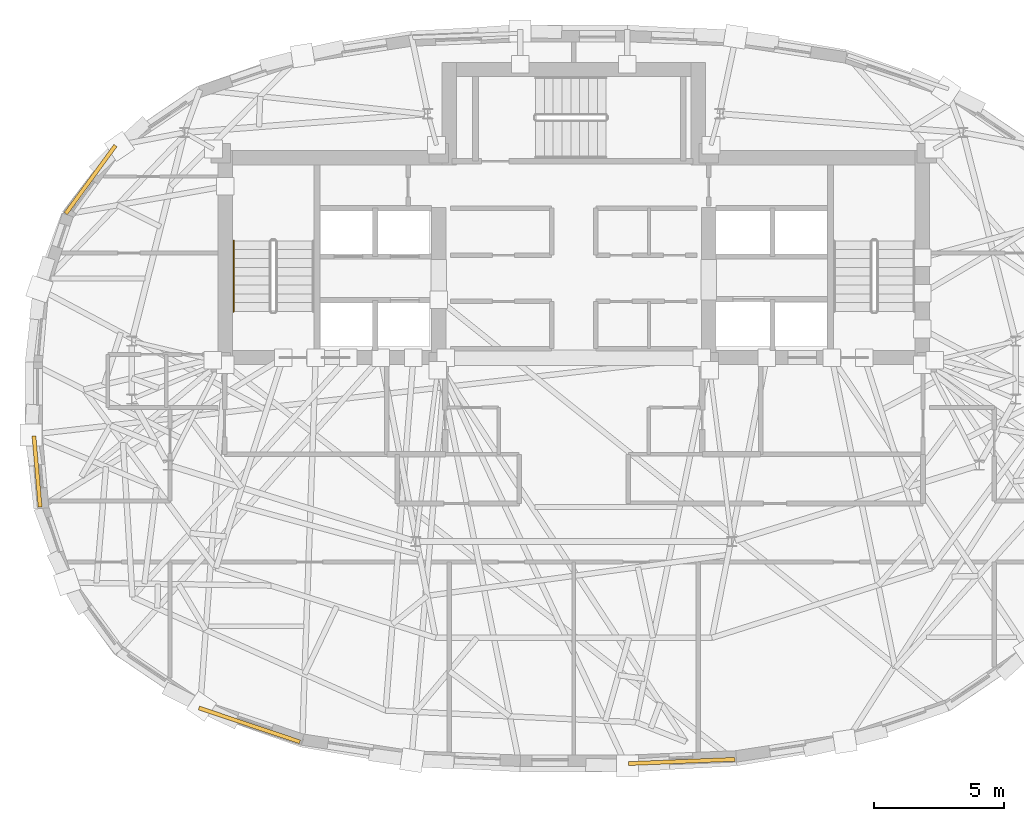
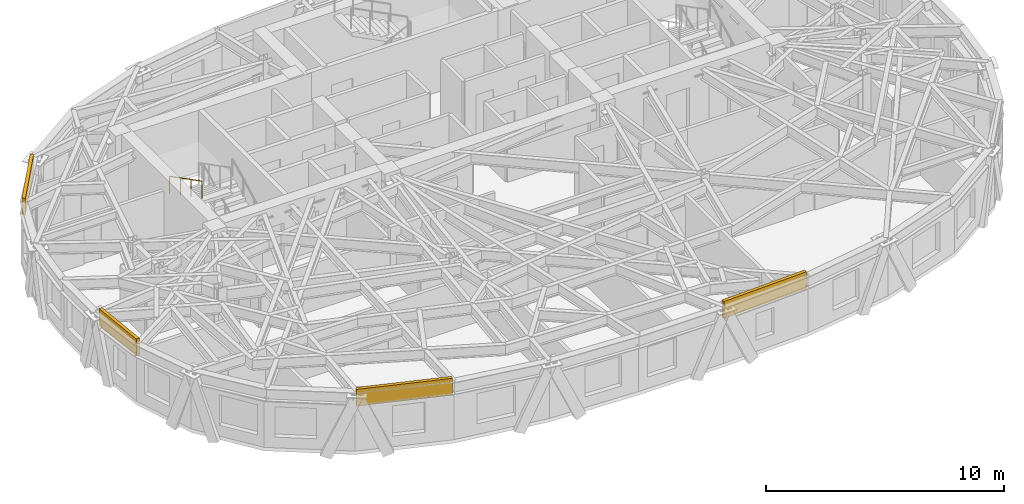
# One storey, part 10 of 12: 4 coverings, 1 railing.
"""IFC4 building model written with IfcOpenShell, lengths in metres."""

from ifc_helpers import new_model, si_unit, direction, frame, origin, origin_2d, place, context, subcontext, project, spatial, rectangle, circle, extrude, material, layer, layer_set, type_object, element, save


model = new_model("IFC4")

# Units and contexts
model_context = context("Model", 3, precision=1e-05, world=origin(), true_north=direction((0.0, 1.0)))
body_context = subcontext(model_context, "Body", "Model", "MODEL_VIEW")
ifc_project = project(units=[si_unit("LENGTHUNIT", "METRE"), si_unit("AREAUNIT", "SQUARE_METRE"), si_unit("VOLUMEUNIT", "CUBIC_METRE"), si_unit("PLANEANGLEUNIT", "RADIAN"), si_unit("MASSUNIT", "GRAM", prefix="KILO")], contexts=[model_context])

# Site, building, storey
site_placement = place(None, origin())
site = spatial("IfcSite", under=ifc_project, at=site_placement, CompositionType="ELEMENT")
building_placement = place(site_placement, origin())
building = spatial("IfcBuilding", under=site, at=building_placement, Name="Keldmark Tower", CompositionType="ELEMENT")
storey_placement = place(building_placement, frame((0.0, 0.0, 250.949951171875)))
storey = spatial("IfcBuildingStorey", under=building, at=storey_placement, Name="L71", CompositionType="ELEMENT", Elevation=250.949951171875)

# Coverings
ifc_material_1 = material(Name="Honed Kasota Buff Dolomitic Limestone", Category="masonry")
ifc_layer = layer(ifc_material_1, 0.074951171875)
ifc_layer_set = layer_set([ifc_layer], Name="Honed Kasota Buff Dolomitic Limestone")
covering_type = type_object("IfcCoveringType", Name="Kasota Buff Limestone Spandrel Cladding Band", PredefinedType="CLADDING", material=ifc_layer_set)
covering_1_placement = place(storey_placement, frame((-18.6123046875, 8.4306640625, 2.260009765625), z_axis=(0.0, 0.0, 1.0), x_axis=(-0.589746202085, -0.80758864351, 0.0)))
element("IfcCovering", 1, at=covering_1_placement, inside=storey, type_object=covering_type, Name="L71 Kasota Limestone Spandrel Band 13", PredefinedType="CLADDING", context=body_context, shape_type="SweptSolid", body=[
    extrude(rectangle(XDim=3.244384765625, YDim=0.14990234375, at=origin_2d()), origin(), (0.0, 0.0, 1.0), 0.8701171875),
])
covering_2_placement = place(storey_placement, frame((-20.67529296875, -2.813232421875, 2.260009765625), z_axis=(0.0, 0.0, 1.0), x_axis=(0.086947098308, -0.996212930099, 0.0)))
element("IfcCovering", 2, at=covering_2_placement, inside=storey, type_object=covering_type, Name="L71 Kasota Limestone Spandrel Band 17", PredefinedType="CLADDING", context=body_context, shape_type="SweptSolid", body=[
    extrude(rectangle(XDim=2.743896484375, YDim=0.14990234375, at=origin_2d()), origin(), (0.0, 0.0, 1.0), 0.8701171875),
])
covering_3_placement = place(storey_placement, frame((-12.494873046875, -12.575439453125, 2.260009765625), z_axis=(0.0, 0.0, 1.0), x_axis=(0.948001964735, -0.318264473134, 0.0)))
element("IfcCovering", 3, at=covering_3_placement, inside=storey, type_object=covering_type, Name="L71 Kasota Limestone Spandrel Band 21", PredefinedType="CLADDING", context=body_context, shape_type="SweptSolid", body=[
    extrude(rectangle(XDim=4.107177734375, YDim=0.14990234375, at=origin_2d()), origin(), (0.0, 0.0, 1.0), 0.8701171875),
])
covering_4_placement = place(storey_placement, frame((4.158935546875, -13.982666015625, 2.260009765625), z_axis=(0.0, 0.0, 1.0), x_axis=(0.999196495041, 0.040079474781, 0.0)))
element("IfcCovering", 4, at=covering_4_placement, inside=storey, type_object=covering_type, Name="L71 Kasota Limestone Spandrel Band 25", PredefinedType="CLADDING", context=body_context, shape_type="SweptSolid", body=[
    extrude(rectangle(XDim=4.09130859375, YDim=0.14990234375, at=origin_2d()), origin(), (0.0, 0.0, 1.0), 0.8701171875),
])

# Railing
ifc_material_2 = material(Name="Stainless Steel AISI 316L", Category="steel")
railing_type = type_object("IfcRailingType", Name="Stainless Steel Stair Handrail 900 mm", PredefinedType="HANDRAIL", material=ifc_material_2)
railing_placement = place(storey_placement, frame((-13.10009765625, 6.070068359375, 1.75)))
element("IfcRailing", 5, at=railing_placement, inside=storey, type_object=railing_type, Name="L71 ST1 stair handrail 2", PredefinedType="HANDRAIL", context=body_context, shape_type="SweptSolid", body=[
    extrude(circle(Radius=0.02392578125, at=origin_2d()), frame((0.0, 0.0, 0.8759765625), z_axis=(0.0, -0.889114319608, 0.457685182924), x_axis=(1.0, 0.0, 0.0)), (0.0, 0.0, 1.0), 3.05908203125),
    extrude(circle(Radius=0.02099609375, at=origin_2d()), origin(), (0.0, 0.0, 1.0), 0.851806640625),
    extrude(circle(Radius=0.02099609375, at=origin_2d()), frame((0.0, -0.90673828125, 0.466796875)), (0.0, 0.0, 1.0), 0.851806640625),
    extrude(circle(Radius=0.02099609375, at=origin_2d()), frame((0.0, -1.813232421875, 0.933349609375)), (0.0, 0.0, 1.0), 0.851806640625),
    extrude(circle(Radius=0.02099609375, at=origin_2d()), frame((0.0, -2.719970703125, 1.400146484375)), (0.0, 0.0, 1.0), 0.851806640625),
])

save(model, "model.ifc")
